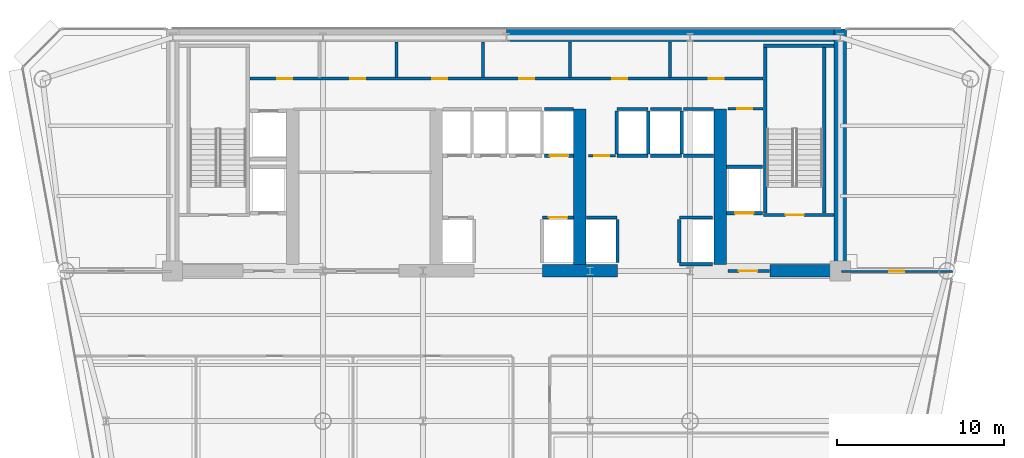
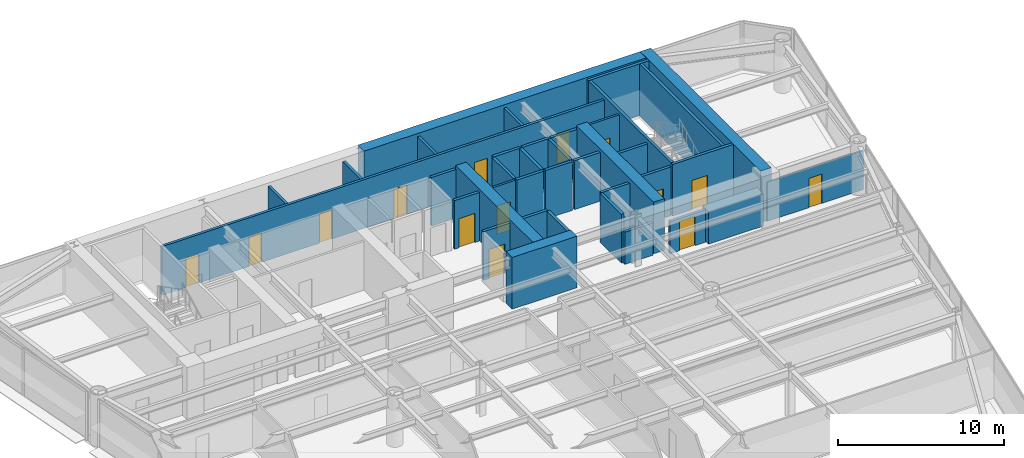
# One storey, part 9 of 14: 38 walls, 14 doors, 14 openings.
"""IFC4 building model written with IfcOpenShell, lengths in metres."""

from ifc_helpers import new_model, si_unit, direction, frame, frame_2d, origin, place, context, subcontext, project, spatial, rectangle, extrude, source, transform, mapped, material, layer, layer_set, type_object, element, fill, save


model = new_model("IFC4")

# Units and contexts
model_context = context("Model", 3, precision=1e-05, world=origin(), true_north=direction((0.0, 1.0)))
body_context = subcontext(model_context, "Body", "Model", "MODEL_VIEW")
ifc_project = project(units=[si_unit("LENGTHUNIT", "METRE"), si_unit("AREAUNIT", "SQUARE_METRE"), si_unit("VOLUMEUNIT", "CUBIC_METRE"), si_unit("PLANEANGLEUNIT", "RADIAN"), si_unit("MASSUNIT", "GRAM", prefix="KILO")], contexts=[model_context])

# Site, building, storey
site_placement = place(None, origin())
site = spatial("IfcSite", under=ifc_project, at=site_placement, CompositionType="ELEMENT")
building_placement = place(site_placement, origin())
building = spatial("IfcBuilding", under=site, at=building_placement, Name="Vaeldorn Concourse Tower", CompositionType="ELEMENT")
storey_placement = place(building_placement, frame((0.0, 0.0, 141.39990234375)))
storey = spatial("IfcBuildingStorey", under=building, at=storey_placement, Name="L36", CompositionType="ELEMENT", Elevation=141.39990234375)

# Walls
ifc_material_1 = material(Name="Concrete C60/75", Category="concrete")
ifc_layer_1 = layer(ifc_material_1, 0.75)
ifc_layer_set_1 = layer_set([ifc_layer_1], Name="Concrete C60/75")
wall_type_1 = type_object("IfcWallType", Name="WL-CORE-750", PredefinedType="SHEAR", material=ifc_layer_set_1)
wall_1_placement = place(storey_placement, frame((34.001953125, 50.625, 0.0), z_axis=(0.0, 0.0, 1.0), x_axis=(1.0, 0.0, 0.0)))
element("IfcWall", 1, at=wall_1_placement, inside=storey, type_object=wall_type_1, Name="Rear Core Shear Wall L36 N2", PredefinedType="SHEAR", context=body_context, shape_type="SweptSolid", body=[
    extrude(rectangle(XDim=19.619140625, YDim=0.75, at=frame_2d((9.8095703125, 0.0))), origin(), (0.0, 0.0, 1.0), 3.800048828125),
])
wall_2_placement = place(storey_placement, frame((54.0, 36.5, 0.0), z_axis=(0.0, 0.0, 1.0), x_axis=(0.0, 1.0, 0.0)))
element("IfcWall", 2, at=wall_2_placement, inside=storey, type_object=wall_type_1, Name="Rear Core Shear Wall L36 E1", PredefinedType="SHEAR", context=body_context, shape_type="SweptSolid", body=[
    extrude(rectangle(XDim=14.5, YDim=0.75, at=frame_2d((7.25, 0.0))), origin(), (0.0, 0.0, 1.0), 3.800048828125),
])
wall_3_placement = place(storey_placement, frame((36.14990234375, 36.5, 0.0), z_axis=(0.0, 0.0, 1.0), x_axis=(1.0, 0.0, 0.0)))
element("IfcWall", 3, at=wall_3_placement, inside=storey, type_object=wall_type_1, Name="Rear Core Shear Wall L36 S3", PredefinedType="SHEAR", context=body_context, shape_type="SweptSolid", body=[
    extrude(rectangle(XDim=4.5, YDim=0.75, at=frame_2d((2.25, 0.0))), origin(), (0.0, 0.0, 1.0), 3.800048828125),
])
wall_4_placement = place(storey_placement, frame((49.800048828125, 36.5, 0.0), z_axis=(0.0, 0.0, 1.0), x_axis=(1.0, 0.0, 0.0)))
element("IfcWall", 4, at=wall_4_placement, inside=storey, type_object=wall_type_1, Name="Rear Core Shear Wall L36 S4", PredefinedType="SHEAR", context=body_context, shape_type="SweptSolid", body=[
    extrude(rectangle(XDim=3.804931640625, YDim=0.75, at=frame_2d((1.90234375, 0.0))), origin(), (0.0, 0.0, 1.0), 2.380126953125),
])
for number, where, z_axis, x_axis, name in (
    (5, (38.39990234375, 36.89501953125, 0.0), (0.0, 0.0, 1.0), (0.0, 1.0, 0.0), "Rear Core Shear Wall L36 M3"),
    (6, (46.800048828125, 36.89501953125, 0.0), (0.0, 0.0, 1.0), (0.0, 1.0, 0.0), "Rear Core Shear Wall L36 M4"),
):
    element("IfcWall", number, at=place(storey_placement, frame(where, z_axis=z_axis, x_axis=x_axis)), inside=storey, type_object=wall_type_1, Name=name, PredefinedType="SHEAR", context=body_context, shape_type="SweptSolid", body=[
        extrude(rectangle(XDim=9.304931640625, YDim=0.75, at=frame_2d((4.65234375, 0.0))), origin(), (0.0, 0.0, 1.0), 3.800048828125),
    ])

# Wall, opening, door
ifc_material_2 = material(Name="Gypsum Board Partition", Category="gypsum")
ifc_layer_2 = layer(ifc_material_2, 0.1201171875)
ifc_layer_set_2 = layer_set([ifc_layer_2], Name="Gypsum Board Partition")
wall_type_2 = type_object("IfcWallType", Name="WL-PART-120", PredefinedType="PARTITIONING", material=ifc_layer_set_2)
wall_5_placement = place(storey_placement, frame((54.06005859375, 36.47998046875, 0.0), z_axis=(0.0, 0.0, 1.0), x_axis=(1.0, 0.0, 0.0)))
wall_5 = element("IfcWall", 7, at=wall_5_placement, inside=storey, type_object=wall_type_2, Name="Interior Wall PW-L36-NES", PredefinedType="PARTITIONING", context=body_context, shape_type="SweptSolid", body=[
    extrude(rectangle(XDim=6.67724609375, YDim=0.1201171875, at=frame_2d((3.338623046875, 0.0))), origin(), (0.0, 0.0, 1.0), 2.8701171875),
])
opening_1_placement = place(wall_5_placement, frame((2.888916015625, 0.0, 0.0)))
opening_1 = element("IfcOpeningElement", 8, at=opening_1_placement, cuts=wall_5, Name="Opening D-03", PredefinedType="OPENING", context=body_context, shape_type="SweptSolid", body=[
    extrude(rectangle(XDim=0.89990234375, YDim=2.14990234375, at=frame_2d((0.449951171875, 1.074951171875))), frame((0.0, 0.070068359375, 0.0), z_axis=(0.0, -1.0, 0.0), x_axis=(1.0, 0.0, 0.0)), (0.0, 0.0, 1.0), 0.14013671875),
])
ifc_material_3 = material(Name="Acoustic Bronze-Framed Glass Door", Category="glass")
door_type_1 = type_object("IfcDoorType", Name="DR-INT-900", OperationType="NOTDEFINED", PredefinedType="DOOR", material=ifc_material_3)
shared_shape_1 = source(origin(), body_context, "Body", "SweptSolid", [
    extrude(rectangle(XDim=0.89990234375, YDim=2.14990234375, at=frame_2d((0.449951171875, 1.074951171875))), frame((0.0, 0.02490234375, 0.0), z_axis=(0.0, -1.0, 0.0), x_axis=(1.0, 0.0, 0.0)), (0.0, 0.0, 1.0), 0.050048828125),
])
door_1_placement = place(opening_1_placement, origin())
door_1 = element("IfcDoor", 9, at=door_1_placement, inside=storey, type_object=door_type_1, Name="Interior Door DR-L36-NEC", OperationType="SINGLE_SWING_RIGHT", OverallHeight=2.14990234375, OverallWidth=0.89990234375, PredefinedType="DOOR", context=body_context, shape_type="MappedRepresentation", body=[
    mapped(shared_shape_1, transform((0.0, 0.0, 0.0), scale=1.0)),
])
fill(opening_1, door_1)

ifc_layer_3 = layer(ifc_material_2, 0.14990234375)
ifc_layer_set_3 = layer_set([ifc_layer_3], Name="Gypsum Board Partition")
wall_type_3 = type_object("IfcWallType", Name="WL-PART-150", PredefinedType="PARTITIONING", material=ifc_layer_set_3)
wall_6_placement = place(storey_placement, frame((47.280029296875, 46.219970703125, 0.0), z_axis=(0.0, 0.0, 1.0), x_axis=(1.0, 0.0, 0.0)))
wall_6 = element("IfcWall", 10, at=wall_6_placement, inside=storey, type_object=wall_type_3, Name="Interior Wall CW-L36-CRSE-N", PredefinedType="PARTITIONING", context=body_context, shape_type="SweptSolid", body=[
    extrude(rectangle(XDim=2.099853515625, YDim=0.14990234375, at=frame_2d((1.0498046875, 0.0))), origin(), (0.0, 0.0, 1.0), 3.580078125),
])
opening_2_placement = place(wall_6_placement, frame((0.550048828125, 0.0, 0.0)))
opening_2 = element("IfcOpeningElement", 11, at=opening_2_placement, cuts=wall_6, Name="Opening D-02", PredefinedType="OPENING", context=body_context, shape_type="SweptSolid", body=[
    extrude(rectangle(XDim=0.89990234375, YDim=2.10009765625, at=frame_2d((0.449951171875, 1.050048828125))), frame((0.0, 0.0849609375, 0.0), z_axis=(0.0, -1.0, 0.0), x_axis=(1.0, 0.0, 0.0)), (0.0, 0.0, 1.0), 0.169921875),
])
ifc_material_4 = material(Name="Fire-Rated Timber Leaf", Category="wood")
door_type_2 = type_object("IfcDoorType", Name="DR-FD30-900", OperationType="NOTDEFINED", PredefinedType="DOOR", material=ifc_material_4)
shared_shape_2 = source(origin(), body_context, "Body", "SweptSolid", [
    extrude(rectangle(XDim=0.89990234375, YDim=2.10009765625, at=frame_2d((0.449951171875, 1.050048828125))), frame((0.0, 0.02490234375, 0.0), z_axis=(0.0, -1.0, 0.0), x_axis=(1.0, 0.0, 0.0)), (0.0, 0.0, 1.0), 0.050048828125),
])
door_2_placement = place(opening_2_placement, origin())
door_2 = element("IfcDoor", 12, at=door_2_placement, inside=storey, type_object=door_type_2, Name="Interior Door DR-L36-CRSE", OperationType="SINGLE_SWING_RIGHT", OverallHeight=2.10009765625, OverallWidth=0.89990234375, PredefinedType="DOOR", context=body_context, shape_type="MappedRepresentation", body=[
    mapped(shared_shape_2, transform((0.0, 0.0, 0.0), scale=1.0)),
])
fill(opening_2, door_2)

wall_7_placement = place(storey_placement, frame((38.919921875, 43.39990234375, 0.0), z_axis=(0.0, 0.0, 1.0), x_axis=(1.0, 0.0, 0.0)))
wall_7 = element("IfcWall", 13, at=wall_7_placement, inside=storey, type_object=wall_type_3, Name="Interior Wall CW-L36-CCLINK", PredefinedType="PARTITIONING", context=body_context, shape_type="SweptSolid", body=[
    extrude(rectangle(XDim=1.60009765625, YDim=0.14990234375, at=frame_2d((0.800048828125, 0.0))), origin(), (0.0, 0.0, 1.0), 3.580078125),
])
opening_3_placement = place(wall_7_placement, frame((0.35009765625, 0.0, 0.0)))
opening_3 = element("IfcOpeningElement", 14, at=opening_3_placement, cuts=wall_7, Name="Opening D-02", PredefinedType="OPENING", context=body_context, shape_type="SweptSolid", body=[
    extrude(rectangle(XDim=0.89990234375, YDim=2.10009765625, at=frame_2d((0.449951171875, 1.050048828125))), frame((0.0, 0.0849609375, 0.0), z_axis=(0.0, -1.0, 0.0), x_axis=(1.0, 0.0, 0.0)), (0.0, 0.0, 1.0), 0.169921875),
])
door_3_placement = place(opening_3_placement, origin())
door_3 = element("IfcDoor", 15, at=door_3_placement, inside=storey, type_object=door_type_2, Name="Interior Door DR-L36-CCLINK", OperationType="SINGLE_SWING_LEFT", OverallHeight=2.10009765625, OverallWidth=0.89990234375, PredefinedType="DOOR", context=body_context, shape_type="MappedRepresentation", body=[
    mapped(shared_shape_2, transform((0.0, 0.0, 0.0), scale=1.0)),
])
fill(opening_3, door_3)

# Wall, openings, doors
ifc_layer_4 = layer(ifc_material_2, 0.179931640625)
ifc_layer_set_4 = layer_set([ifc_layer_4], Name="Gypsum Board Partition")
wall_type_4 = type_object("IfcWallType", Name="WL-PLUMB-180", PredefinedType="PLUMBINGWALL", material=ifc_layer_set_4)
wall_8_placement = place(storey_placement, frame((18.6201171875, 48.02001953125, 0.0), z_axis=(0.0, 0.0, 1.0), x_axis=(1.0, 0.0, 0.0)))
wall_8 = element("IfcWall", 16, at=wall_8_placement, inside=storey, type_object=wall_type_4, Name="Interior Wall CW-L36-NS3", PredefinedType="PLUMBINGWALL", context=body_context, shape_type="SweptSolid", body=[
    extrude(rectangle(XDim=30.759765625, YDim=0.179931640625, at=frame_2d((15.3798828125, 0.0))), origin(), (0.0, 0.0, 1.0), 3.580078125),
])
opening_4_placement = place(wall_8_placement, frame((1.655029296875, 0.0, 0.0)))
opening_4 = element("IfcOpeningElement", 17, at=opening_4_placement, cuts=wall_8, Name="Opening D-03", PredefinedType="OPENING", context=body_context, shape_type="SweptSolid", body=[
    extrude(rectangle(XDim=0.89990234375, YDim=2.14990234375, at=frame_2d((0.449951171875, 1.074951171875))), frame((0.0, 0.10009765625, 0.0), z_axis=(0.0, -1.0, 0.0), x_axis=(1.0, 0.0, 0.0)), (0.0, 0.0, 1.0), 0.199951171875),
])
opening_5_placement = place(wall_8_placement, frame((6.030029296875, 0.0, 0.0)))
opening_5 = element("IfcOpeningElement", 18, at=opening_5_placement, cuts=wall_8, Name="Opening D-03", PredefinedType="OPENING", context=body_context, shape_type="SweptSolid", body=[
    extrude(rectangle(XDim=0.89990234375, YDim=2.14990234375, at=frame_2d((0.449951171875, 1.074951171875))), frame((0.0, 0.10009765625, 0.0), z_axis=(0.0, -1.0, 0.0), x_axis=(1.0, 0.0, 0.0)), (0.0, 0.0, 1.0), 0.199951171875),
])
opening_6_placement = place(wall_8_placement, frame((10.929931640625, 0.0, 0.0)))
opening_6 = element("IfcOpeningElement", 19, at=opening_6_placement, cuts=wall_8, Name="Opening D-03", PredefinedType="OPENING", context=body_context, shape_type="SweptSolid", body=[
    extrude(rectangle(XDim=0.89990234375, YDim=2.14990234375, at=frame_2d((0.449951171875, 1.074951171875))), frame((0.0, 0.10009765625, 0.0), z_axis=(0.0, -1.0, 0.0), x_axis=(1.0, 0.0, 0.0)), (0.0, 0.0, 1.0), 0.199951171875),
])
opening_7_placement = place(wall_8_placement, frame((16.1298828125, 0.0, 0.0)))
opening_7 = element("IfcOpeningElement", 20, at=opening_7_placement, cuts=wall_8, Name="Opening D-03", PredefinedType="OPENING", context=body_context, shape_type="SweptSolid", body=[
    extrude(rectangle(XDim=0.89990234375, YDim=2.14990234375, at=frame_2d((0.449951171875, 1.074951171875))), frame((0.0, 0.10009765625, 0.0), z_axis=(0.0, -1.0, 0.0), x_axis=(1.0, 0.0, 0.0)), (0.0, 0.0, 1.0), 0.199951171875),
])
opening_8_placement = place(wall_8_placement, frame((21.72998046875, 0.0, 0.0)))
opening_8 = element("IfcOpeningElement", 21, at=opening_8_placement, cuts=wall_8, Name="Opening D-03", PredefinedType="OPENING", context=body_context, shape_type="SweptSolid", body=[
    extrude(rectangle(XDim=0.89990234375, YDim=2.14990234375, at=frame_2d((0.449951171875, 1.074951171875))), frame((0.0, 0.10009765625, 0.0), z_axis=(0.0, -1.0, 0.0), x_axis=(1.0, 0.0, 0.0)), (0.0, 0.0, 1.0), 0.199951171875),
])
opening_9_placement = place(wall_8_placement, frame((27.5048828125, 0.0, 0.0)))
opening_9 = element("IfcOpeningElement", 22, at=opening_9_placement, cuts=wall_8, Name="Opening D-03", PredefinedType="OPENING", context=body_context, shape_type="SweptSolid", body=[
    extrude(rectangle(XDim=0.89990234375, YDim=2.14990234375, at=frame_2d((0.449951171875, 1.074951171875))), frame((0.0, 0.10009765625, 0.0), z_axis=(0.0, -1.0, 0.0), x_axis=(1.0, 0.0, 0.0)), (0.0, 0.0, 1.0), 0.199951171875),
])
door_4_placement = place(opening_4_placement, origin())
door_4 = element("IfcDoor", 23, at=door_4_placement, inside=storey, type_object=door_type_1, Name="Interior Door DR-L36-CS1", OperationType="SINGLE_SWING_LEFT", OverallHeight=2.14990234375, OverallWidth=0.89990234375, PredefinedType="DOOR", context=body_context, shape_type="MappedRepresentation", body=[
    mapped(shared_shape_1, transform((0.0, 0.0, 0.0), scale=1.0)),
])
fill(opening_4, door_4)
door_5_placement = place(opening_5_placement, origin())
door_5 = element("IfcDoor", 24, at=door_5_placement, inside=storey, type_object=door_type_1, Name="Interior Door DR-L36-CS2", OperationType="SINGLE_SWING_RIGHT", OverallHeight=2.14990234375, OverallWidth=0.89990234375, PredefinedType="DOOR", context=body_context, shape_type="MappedRepresentation", body=[
    mapped(shared_shape_1, transform((0.0, 0.0, 0.0), scale=1.0)),
])
fill(opening_5, door_5)
door_6_placement = place(opening_6_placement, origin())
door_6 = element("IfcDoor", 25, at=door_6_placement, inside=storey, type_object=door_type_1, Name="Interior Door DR-L36-CS3", OperationType="SINGLE_SWING_LEFT", OverallHeight=2.14990234375, OverallWidth=0.89990234375, PredefinedType="DOOR", context=body_context, shape_type="MappedRepresentation", body=[
    mapped(shared_shape_1, transform((0.0, 0.0, 0.0), scale=1.0)),
])
fill(opening_6, door_6)
door_7_placement = place(opening_7_placement, origin())
door_7 = element("IfcDoor", 26, at=door_7_placement, inside=storey, type_object=door_type_1, Name="Interior Door DR-L36-CS4", OperationType="SINGLE_SWING_RIGHT", OverallHeight=2.14990234375, OverallWidth=0.89990234375, PredefinedType="DOOR", context=body_context, shape_type="MappedRepresentation", body=[
    mapped(shared_shape_1, transform((0.0, 0.0, 0.0), scale=1.0)),
])
fill(opening_7, door_7)
door_8_placement = place(opening_8_placement, origin())
door_8 = element("IfcDoor", 27, at=door_8_placement, inside=storey, type_object=door_type_1, Name="Interior Door DR-L36-CS5", OperationType="SINGLE_SWING_LEFT", OverallHeight=2.14990234375, OverallWidth=0.89990234375, PredefinedType="DOOR", context=body_context, shape_type="MappedRepresentation", body=[
    mapped(shared_shape_1, transform((0.0, 0.0, 0.0), scale=1.0)),
])
fill(opening_8, door_8)
door_9_placement = place(opening_9_placement, origin())
door_9 = element("IfcDoor", 28, at=door_9_placement, inside=storey, type_object=door_type_1, Name="Interior Door DR-L36-CS6", OperationType="SINGLE_SWING_RIGHT", OverallHeight=2.14990234375, OverallWidth=0.89990234375, PredefinedType="DOOR", context=body_context, shape_type="MappedRepresentation", body=[
    mapped(shared_shape_1, transform((0.0, 0.0, 0.0), scale=1.0)),
])
fill(opening_9, door_9)

# Walls
for number, where, z_axis, x_axis, name in (
    (29, (27.39990234375, 48.10009765625, 0.0), (0.0, 0.0, 1.0), (0.0, 1.0, 0.0), "Interior Wall CW-L36-NDIV2"),
    (30, (32.60009765625, 48.10009765625, 0.0), (0.0, 0.0, 1.0), (0.0, 1.0, 0.0), "Interior Wall CW-L36-NDIV3"),
    (31, (37.800048828125, 48.10009765625, 0.0), (0.0, 0.0, 1.0), (0.0, 1.0, 0.0), "Interior Wall CW-L36-NDIV4"),
    (32, (43.800048828125, 48.10009765625, 0.0), (0.0, 0.0, 1.0), (0.0, 1.0, 0.0), "Interior Wall CW-L36-NDIV5"),
):
    element("IfcWall", number, at=place(storey_placement, frame(where, z_axis=z_axis, x_axis=x_axis)), inside=storey, type_object=wall_type_4, Name=name, PredefinedType="PLUMBINGWALL", context=body_context, shape_type="SweptSolid", body=[
        extrude(rectangle(XDim=2.1298828125, YDim=0.179931640625, at=frame_2d((1.06494140625, 0.0))), origin(), (0.0, 0.0, 1.0), 3.580078125),
    ])

# Wall, opening, door
ifc_material_5 = material(Name="Concrete C50/60", Category="concrete")
ifc_layer_5 = layer(ifc_material_5, 0.199951171875)
ifc_layer_set_5 = layer_set([ifc_layer_5], Name="Concrete C50/60")
wall_type_5 = type_object("IfcWallType", Name="WL-SHAFT-200", PredefinedType="SOLIDWALL", material=ifc_layer_set_5)
wall_9_placement = place(storey_placement, frame((49.39990234375, 39.85009765625, 0.0), z_axis=(0.0, 0.0, 1.0), x_axis=(1.0, 0.0, 0.0)))
wall_9 = element("IfcWall", 33, at=wall_9_placement, inside=storey, type_object=wall_type_5, Name="Stair Shaft Wall CW-L36-ST-2-S", PredefinedType="SOLIDWALL", context=body_context, shape_type="SweptSolid", body=[
    extrude(rectangle(XDim=4.22509765625, YDim=0.199951171875, at=frame_2d((2.112548828125, 0.0))), origin(), (0.0, 0.0, 1.0), 3.800048828125),
])
opening_10_placement = place(wall_9_placement, frame((1.324951171875, 0.0, 0.0)))
opening_10 = element("IfcOpeningElement", 34, at=opening_10_placement, cuts=wall_9, Name="Opening D-01", PredefinedType="OPENING", context=body_context, shape_type="SweptSolid", body=[
    extrude(rectangle(XDim=1.10009765625, YDim=2.14990234375, at=frame_2d((0.550048828125, 1.074951171875))), frame((0.0, 0.10986328125, 0.0), z_axis=(0.0, -1.0, 0.0), x_axis=(1.0, 0.0, 0.0)), (0.0, 0.0, 1.0), 0.219970703125),
])
ifc_material_6 = material(Name="Fire-Rated Timber and Steel Leaf", Category="steel")
door_type_3 = type_object("IfcDoorType", Name="DR-FD60-1100", OperationType="NOTDEFINED", PredefinedType="DOOR", material=ifc_material_6)
shared_shape_3 = source(origin(), body_context, "Body", "SweptSolid", [
    extrude(rectangle(XDim=1.10009765625, YDim=2.14990234375, at=frame_2d((0.550048828125, 1.074951171875))), frame((0.0, 0.02490234375, 0.0), z_axis=(0.0, -1.0, 0.0), x_axis=(1.0, 0.0, 0.0)), (0.0, 0.0, 1.0), 0.050048828125),
])
door_10_placement = place(opening_10_placement, origin())
door_10 = element("IfcDoor", 35, at=door_10_placement, inside=storey, type_object=door_type_3, Name="Interior Door DR-L36-ST-2", OperationType="SINGLE_SWING_RIGHT", OverallHeight=2.14990234375, OverallWidth=1.10009765625, PredefinedType="DOOR", context=body_context, shape_type="MappedRepresentation", body=[
    mapped(shared_shape_3, transform((0.0, 0.0, 0.0), scale=1.0)),
])
fill(opening_10, door_10)

# Walls
wall_10_placement = place(storey_placement, frame((49.39990234375, 50.0, 0.0), z_axis=(0.0, 0.0, 1.0), x_axis=(1.0, 0.0, 0.0)))
element("IfcWall", 36, at=wall_10_placement, inside=storey, type_object=wall_type_5, Name="Stair Shaft Wall CW-L36-ST-2-N", PredefinedType="SOLIDWALL", context=body_context, shape_type="SweptSolid", body=[
    extrude(rectangle(XDim=4.22509765625, YDim=0.199951171875, at=frame_2d((2.112548828125, 0.0))), origin(), (0.0, 0.0, 1.0), 3.800048828125),
])
for number, where, z_axis, x_axis, name in (
    (37, (49.5, 39.9599609375, 0.0), (0.0, 0.0, 1.0), (0.0, 1.0, 0.0), "Stair Shaft Wall CW-L36-ST-2-W"),
    (38, (53.050048828125, 39.9599609375, 0.0), (0.0, 0.0, 1.0), (0.0, 1.0, 0.0), "Stair Shaft Wall CW-L36-ST-2-E"),
):
    element("IfcWall", number, at=place(storey_placement, frame(where, z_axis=z_axis, x_axis=x_axis)), inside=storey, type_object=wall_type_5, Name=name, PredefinedType="SOLIDWALL", context=body_context, shape_type="SweptSolid", body=[
        extrude(rectangle(XDim=9.929931640625, YDim=0.199951171875, at=frame_2d((4.96484375, 0.0))), origin(), (0.0, 0.0, 1.0), 3.800048828125),
    ])

# Wall, opening, door
wall_11_placement = place(storey_placement, frame((47.280029296875, 36.5, 0.0), z_axis=(0.0, 0.0, 1.0), x_axis=(1.0, 0.0, 0.0)))
wall_11 = element("IfcWall", 39, at=wall_11_placement, inside=storey, type_object=wall_type_5, Name="Interior Wall CW-L36-FF2S", PredefinedType="SOLIDWALL", context=body_context, shape_type="SweptSolid", body=[
    extrude(rectangle(XDim=2.469970703125, YDim=0.199951171875, at=frame_2d((1.23486328125, 0.0))), origin(), (0.0, 0.0, 1.0), 2.3701171875),
])
opening_11_placement = place(wall_11_placement, frame((0.64990234375, 0.0, 0.0)))
opening_11 = element("IfcOpeningElement", 40, at=opening_11_placement, cuts=wall_11, Name="Opening D-01", PredefinedType="OPENING", context=body_context, shape_type="SweptSolid", body=[
    extrude(rectangle(XDim=1.10009765625, YDim=2.14990234375, at=frame_2d((0.550048828125, 1.074951171875))), frame((0.0, 0.10986328125, 0.0), z_axis=(0.0, -1.0, 0.0), x_axis=(1.0, 0.0, 0.0)), (0.0, 0.0, 1.0), 0.219970703125),
])
door_11_placement = place(opening_11_placement, origin())
door_11 = element("IfcDoor", 41, at=door_11_placement, inside=storey, type_object=door_type_3, Name="Interior Door DR-L36-FF2W", OperationType="SINGLE_SWING_LEFT", OverallHeight=2.14990234375, OverallWidth=1.10009765625, PredefinedType="DOOR", context=body_context, shape_type="MappedRepresentation", body=[
    mapped(shared_shape_3, transform((0.0, 0.0, 0.0), scale=1.0)),
])
fill(opening_11, door_11)

wall_12_placement = place(storey_placement, frame((36.169921875, 39.699951171875, 0.0), z_axis=(0.0, 0.0, 1.0), x_axis=(1.0, 0.0, 0.0)))
wall_12 = element("IfcWall", 42, at=wall_12_placement, inside=storey, type_object=wall_type_5, Name="Interior Wall CW-L36-LF-LF-08", PredefinedType="SOLIDWALL", context=body_context, shape_type="SweptSolid", body=[
    extrude(rectangle(XDim=1.844970703125, YDim=0.199951171875, at=frame_2d((0.92236328125, 0.0))), origin(), (0.0, 0.0, 1.0), 3.580078125),
])
opening_12_placement = place(wall_12_placement, frame((0.3720703125, 0.0, 0.0)))
opening_12 = element("IfcOpeningElement", 43, at=opening_12_placement, cuts=wall_12, Name="Opening LD-1", PredefinedType="OPENING", context=body_context, shape_type="SweptSolid", body=[
    extrude(rectangle(XDim=1.10009765625, YDim=2.14990234375, at=frame_2d((0.550048828125, 1.074951171875))), frame((0.0, 0.10986328125, 0.0), z_axis=(0.0, -1.0, 0.0), x_axis=(1.0, 0.0, 0.0)), (0.0, 0.0, 1.0), 0.219970703125),
])
ifc_material_7 = material(Name="Anodised Bronze Aluminium", Category="aluminium")
door_type_4 = type_object("IfcDoorType", Name="DR-LIFT-SLIDE-1100", OperationType="DOUBLE_DOOR_SLIDING", PredefinedType="DOOR", material=ifc_material_7)
door_12_placement = place(opening_12_placement, origin())
door_12 = element("IfcDoor", 44, at=door_12_placement, inside=storey, type_object=door_type_4, Name="Lift Landing Door LD-L36-LF-08", OperationType="DOUBLE_DOOR_SLIDING", OverallHeight=2.14990234375, OverallWidth=1.10009765625, PredefinedType="DOOR", context=body_context, shape_type="MappedRepresentation", body=[
    mapped(shared_shape_3, transform((0.0, 0.0, 0.0), scale=1.0)),
])
fill(opening_12, door_12)

wall_13_placement = place(storey_placement, frame((36.2900390625, 43.39990234375, 0.0), z_axis=(0.0, 0.0, 1.0), x_axis=(1.0, 0.0, 0.0)))
wall_13 = element("IfcWall", 45, at=wall_13_placement, inside=storey, type_object=wall_type_5, Name="Interior Wall CW-L36-LF-LF-12", PredefinedType="SOLIDWALL", context=body_context, shape_type="SweptSolid", body=[
    extrude(rectangle(XDim=1.724853515625, YDim=0.199951171875, at=frame_2d((0.8623046875, 0.0))), origin(), (0.0, 0.0, 1.0), 3.580078125),
])
opening_13_placement = place(wall_13_placement, frame((0.31298828125, 0.0, 0.0)))
opening_13 = element("IfcOpeningElement", 46, at=opening_13_placement, cuts=wall_13, Name="Opening LD-1", PredefinedType="OPENING", context=body_context, shape_type="SweptSolid", body=[
    extrude(rectangle(XDim=1.10009765625, YDim=2.14990234375, at=frame_2d((0.550048828125, 1.074951171875))), frame((0.0, 0.10986328125, 0.0), z_axis=(0.0, -1.0, 0.0), x_axis=(1.0, 0.0, 0.0)), (0.0, 0.0, 1.0), 0.219970703125),
])
door_13_placement = place(opening_13_placement, origin())
door_13 = element("IfcDoor", 47, at=door_13_placement, inside=storey, type_object=door_type_4, Name="Lift Landing Door LD-L36-LF-12", OperationType="DOUBLE_DOOR_SLIDING", OverallHeight=2.14990234375, OverallWidth=1.10009765625, PredefinedType="DOOR", context=body_context, shape_type="MappedRepresentation", body=[
    mapped(shared_shape_3, transform((0.0, 0.0, 0.0), scale=1.0)),
])
fill(opening_13, door_13)

# Walls
wall_14_placement = place(storey_placement, frame((36.2900390625, 46.199951171875, 0.0), z_axis=(0.0, 0.0, 1.0), x_axis=(1.0, 0.0, 0.0)))
element("IfcWall", 48, at=wall_14_placement, inside=storey, type_object=wall_type_5, Name="Interior Wall CW-L36-LFB-LF-12", PredefinedType="SOLIDWALL", context=body_context, shape_type="SweptSolid", body=[
    extrude(rectangle(XDim=1.724853515625, YDim=0.199951171875, at=frame_2d((0.8623046875, 0.0))), origin(), (0.0, 0.0, 1.0), 3.580078125),
])
wall_15_placement = place(storey_placement, frame((38.784912109375, 39.699951171875, 0.0), z_axis=(0.0, 0.0, 1.0), x_axis=(1.0, 0.0, 0.0)))
element("IfcWall", 49, at=wall_15_placement, inside=storey, type_object=wall_type_5, Name="Interior Wall CW-L36-LF-LF-13", PredefinedType="SOLIDWALL", context=body_context, shape_type="SweptSolid", body=[
    extrude(rectangle(XDim=1.844970703125, YDim=0.199951171875, at=frame_2d((0.92236328125, 0.0))), origin(), (0.0, 0.0, 1.0), 3.580078125),
])
wall_16_placement = place(storey_placement, frame((40.64990234375, 37.02001953125, 0.0), z_axis=(0.0, 0.0, 1.0), x_axis=(0.0, 1.0, 0.0)))
element("IfcWall", 50, at=wall_16_placement, inside=storey, type_object=wall_type_5, Name="Interior Wall CW-L36-LFE-LF-13", PredefinedType="SOLIDWALL", context=body_context, shape_type="SweptSolid", body=[
    extrude(rectangle(XDim=2.56005859375, YDim=0.199951171875, at=frame_2d((1.280029296875, 0.0))), origin(), (0.0, 0.0, 1.0), 3.580078125),
])
wall_17_placement = place(storey_placement, frame((44.3701171875, 39.699951171875, 0.0), z_axis=(0.0, 0.0, 1.0), x_axis=(1.0, 0.0, 0.0)))
element("IfcWall", 51, at=wall_17_placement, inside=storey, type_object=wall_type_5, Name="Interior Wall CW-L36-LF-LF-14", PredefinedType="SOLIDWALL", context=body_context, shape_type="SweptSolid", body=[
    extrude(rectangle(XDim=1.9599609375, YDim=0.199951171875, at=frame_2d((0.97998046875, 0.0))), origin(), (0.0, 0.0, 1.0), 3.580078125),
])
wall_18_placement = place(storey_placement, frame((44.3701171875, 36.89990234375, 0.0), z_axis=(0.0, 0.0, 1.0), x_axis=(1.0, 0.0, 0.0)))
element("IfcWall", 52, at=wall_18_placement, inside=storey, type_object=wall_type_5, Name="Interior Wall CW-L36-LFB-LF-14", PredefinedType="SOLIDWALL", context=body_context, shape_type="SweptSolid", body=[
    extrude(rectangle(XDim=1.9599609375, YDim=0.199951171875, at=frame_2d((0.97998046875, 0.0))), origin(), (0.0, 0.0, 1.0), 2.3701171875),
])
wall_19_placement = place(storey_placement, frame((44.35009765625, 37.02001953125, 0.0), z_axis=(0.0, 0.0, 1.0), x_axis=(0.0, 1.0, 0.0)))
element("IfcWall", 53, at=wall_19_placement, inside=storey, type_object=wall_type_5, Name="Interior Wall CW-L36-LFW-LF-14", PredefinedType="SOLIDWALL", context=body_context, shape_type="SweptSolid", body=[
    extrude(rectangle(XDim=2.56005859375, YDim=0.199951171875, at=frame_2d((1.280029296875, 0.0))), origin(), (0.0, 0.0, 1.0), 3.580078125),
])
for number, where, z_axis, x_axis, name in (
    (54, (40.6201171875, 43.39990234375, 0.0), (0.0, 0.0, 1.0), (1.0, 0.0, 0.0), "Interior Wall CW-L36-LF-LF-15"),
    (55, (40.6201171875, 46.199951171875, 0.0), (0.0, 0.0, 1.0), (1.0, 0.0, 0.0), "Interior Wall CW-L36-LFB-LF-15"),
):
    element("IfcWall", number, at=place(storey_placement, frame(where, z_axis=z_axis, x_axis=x_axis)), inside=storey, type_object=wall_type_5, Name=name, PredefinedType="SOLIDWALL", context=body_context, shape_type="SweptSolid", body=[
        extrude(rectangle(XDim=1.85986328125, YDim=0.199951171875, at=frame_2d((0.929931640625, 0.0))), origin(), (0.0, 0.0, 1.0), 3.580078125),
    ])
for number, where, z_axis, x_axis, name in (
    (56, (40.60009765625, 43.52001953125, 0.0), (0.0, 0.0, 1.0), (0.0, 1.0, 0.0), "Interior Wall CW-L36-LFW-LF-15"),
    (57, (42.5, 43.52001953125, 0.0), (0.0, 0.0, 1.0), (0.0, 1.0, 0.0), "Interior Wall CW-L36-LFE-LF-15"),
):
    element("IfcWall", number, at=place(storey_placement, frame(where, z_axis=z_axis, x_axis=x_axis)), inside=storey, type_object=wall_type_5, Name=name, PredefinedType="SOLIDWALL", context=body_context, shape_type="SweptSolid", body=[
        extrude(rectangle(XDim=2.56005859375, YDim=0.199951171875, at=frame_2d((1.280029296875, 0.0))), origin(), (0.0, 0.0, 1.0), 3.580078125),
    ])
for number, where, z_axis, x_axis, name in (
    (58, (42.6201171875, 43.39990234375, 0.0), (0.0, 0.0, 1.0), (1.0, 0.0, 0.0), "Interior Wall CW-L36-LF-LF-16"),
    (59, (42.6201171875, 46.199951171875, 0.0), (0.0, 0.0, 1.0), (1.0, 0.0, 0.0), "Interior Wall CW-L36-LFB-LF-16"),
):
    element("IfcWall", number, at=place(storey_placement, frame(where, z_axis=z_axis, x_axis=x_axis)), inside=storey, type_object=wall_type_5, Name=name, PredefinedType="SOLIDWALL", context=body_context, shape_type="SweptSolid", body=[
        extrude(rectangle(XDim=1.85986328125, YDim=0.199951171875, at=frame_2d((0.929931640625, 0.0))), origin(), (0.0, 0.0, 1.0), 3.580078125),
    ])
wall_20_placement = place(storey_placement, frame((44.5, 43.52001953125, 0.0), z_axis=(0.0, 0.0, 1.0), x_axis=(0.0, 1.0, 0.0)))
element("IfcWall", 60, at=wall_20_placement, inside=storey, type_object=wall_type_5, Name="Interior Wall CW-L36-LFE-LF-16", PredefinedType="SOLIDWALL", context=body_context, shape_type="SweptSolid", body=[
    extrude(rectangle(XDim=2.56005859375, YDim=0.199951171875, at=frame_2d((1.280029296875, 0.0))), origin(), (0.0, 0.0, 1.0), 3.580078125),
])
for number, where, z_axis, x_axis, name in (
    (61, (44.6201171875, 43.39990234375, 0.0), (0.0, 0.0, 1.0), (1.0, 0.0, 0.0), "Interior Wall CW-L36-LF-LF-17"),
    (62, (44.6201171875, 46.199951171875, 0.0), (0.0, 0.0, 1.0), (1.0, 0.0, 0.0), "Interior Wall CW-L36-LFB-LF-17"),
):
    element("IfcWall", number, at=place(storey_placement, frame(where, z_axis=z_axis, x_axis=x_axis)), inside=storey, type_object=wall_type_5, Name=name, PredefinedType="SOLIDWALL", context=body_context, shape_type="SweptSolid", body=[
        extrude(rectangle(XDim=1.794921875, YDim=0.199951171875, at=frame_2d((0.8974609375, 0.0))), origin(), (0.0, 0.0, 1.0), 3.580078125),
    ])

# Wall, opening, door
wall_21_placement = place(storey_placement, frame((47.18505859375, 39.949951171875, 0.0), z_axis=(0.0, 0.0, 1.0), x_axis=(1.0, 0.0, 0.0)))
wall_21 = element("IfcWall", 63, at=wall_21_placement, inside=storey, type_object=wall_type_5, Name="Interior Wall CW-L36-LF-LF-FF2", PredefinedType="SOLIDWALL", context=body_context, shape_type="SweptSolid", body=[
    extrude(rectangle(XDim=2.14501953125, YDim=0.199951171875, at=frame_2d((1.072509765625, 0.0))), origin(), (0.0, 0.0, 1.0), 3.580078125),
])
opening_14_placement = place(wall_21_placement, frame((0.52197265625, 0.0, 0.0)))
opening_14 = element("IfcOpeningElement", 64, at=opening_14_placement, cuts=wall_21, Name="Opening LD-1", PredefinedType="OPENING", context=body_context, shape_type="SweptSolid", body=[
    extrude(rectangle(XDim=1.10009765625, YDim=2.14990234375, at=frame_2d((0.550048828125, 1.074951171875))), frame((0.0, 0.10986328125, 0.0), z_axis=(0.0, -1.0, 0.0), x_axis=(1.0, 0.0, 0.0)), (0.0, 0.0, 1.0), 0.219970703125),
])
door_14_placement = place(opening_14_placement, origin())
door_14 = element("IfcDoor", 65, at=door_14_placement, inside=storey, type_object=door_type_4, Name="Lift Landing Door LD-L36-LF-FF2", OperationType="DOUBLE_DOOR_SLIDING", OverallHeight=2.14990234375, OverallWidth=1.10009765625, PredefinedType="DOOR", context=body_context, shape_type="MappedRepresentation", body=[
    mapped(shared_shape_3, transform((0.0, 0.0, 0.0), scale=1.0)),
])
fill(opening_14, door_14)

# Wall
wall_22_placement = place(storey_placement, frame((47.18505859375, 42.75, 0.0), z_axis=(0.0, 0.0, 1.0), x_axis=(1.0, 0.0, 0.0)))
element("IfcWall", 66, at=wall_22_placement, inside=storey, type_object=wall_type_5, Name="Interior Wall CW-L36-LFB-LF-FF2", PredefinedType="SOLIDWALL", context=body_context, shape_type="SweptSolid", body=[
    extrude(rectangle(XDim=2.14501953125, YDim=0.199951171875, at=frame_2d((1.072509765625, 0.0))), origin(), (0.0, 0.0, 1.0), 3.580078125),
])

save(model, "model.ifc")
